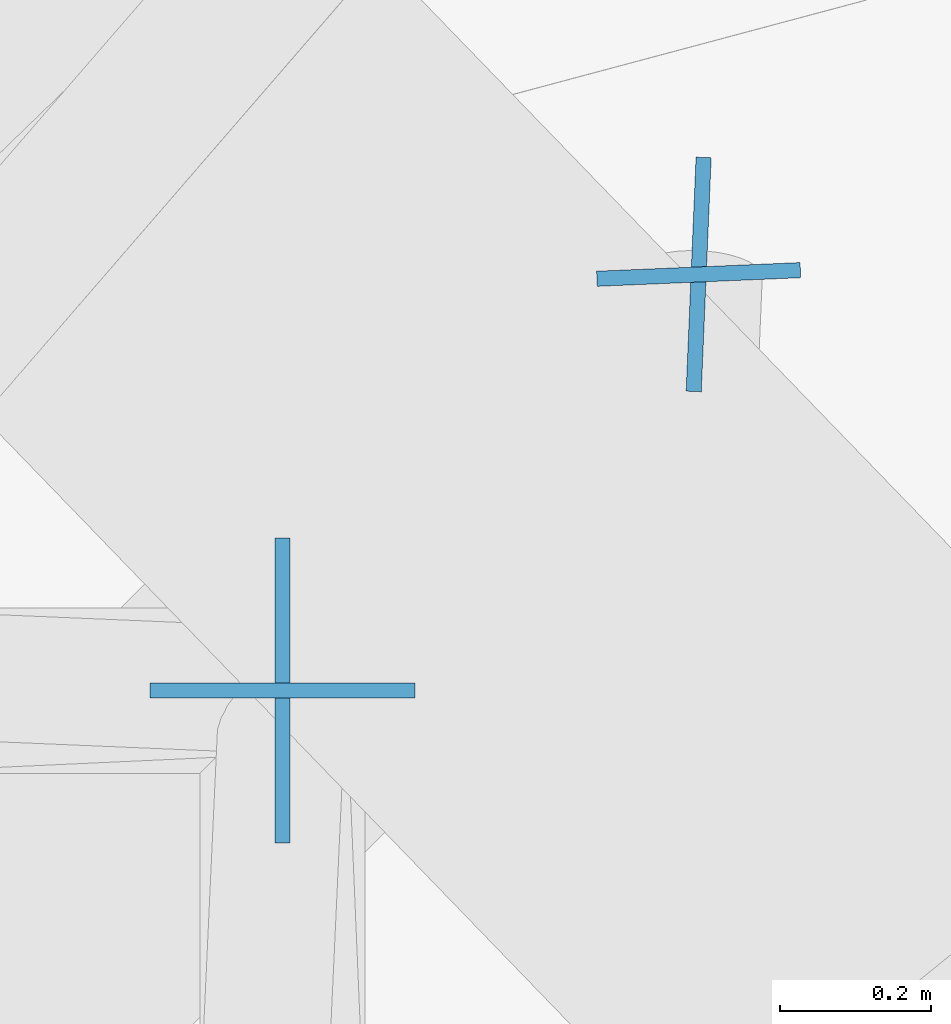
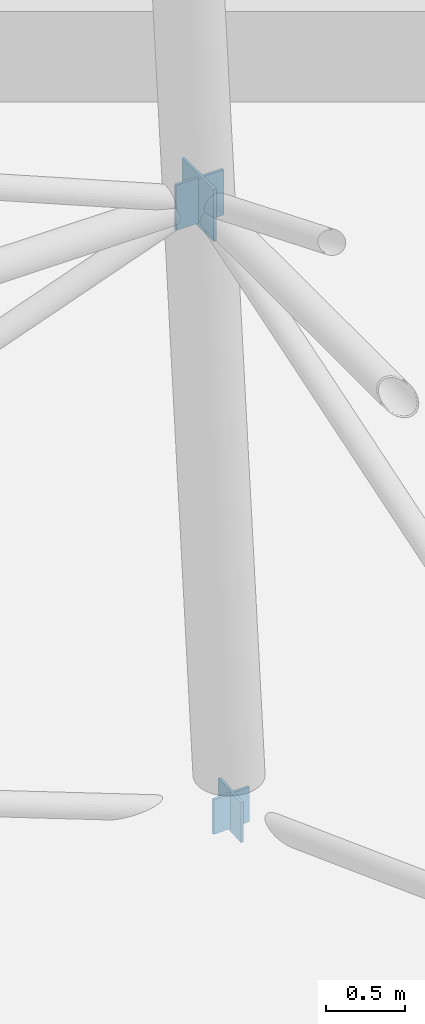
# One storey, part 15 of 27: 4 discrete accessories.
"""IFC4 building model written with IfcOpenShell, lengths in metres."""

from ifc_helpers import new_model, si_unit, direction, frame, origin, origin_2d, place, context, subcontext, project, spatial, rectangle, extrude, material, layer, layer_set, type_object, element, save


model = new_model("IFC4")

# Units and contexts
model_context = context("Model", 3, precision=1e-05, world=origin(), true_north=direction((0.0, 1.0)))
body_context = subcontext(model_context, "Body", "Model", "MODEL_VIEW")
ifc_project = project(units=[si_unit("LENGTHUNIT", "METRE"), si_unit("AREAUNIT", "SQUARE_METRE"), si_unit("VOLUMEUNIT", "CUBIC_METRE"), si_unit("PLANEANGLEUNIT", "RADIAN"), si_unit("MASSUNIT", "GRAM", prefix="KILO")], contexts=[model_context])

# Site, building, storey
site_placement = place(None, origin())
site = spatial("IfcSite", under=ifc_project, at=site_placement, CompositionType="ELEMENT")
building_placement = place(site_placement, origin())
building = spatial("IfcBuilding", under=site, at=building_placement, Name="Ayvan Gate Tower", CompositionType="ELEMENT")
storey_placement = place(building_placement, frame((0.0, 0.0, 267.699951171875)))
storey = spatial("IfcBuildingStorey", under=building, at=storey_placement, Name="Roof", CompositionType="ELEMENT", Elevation=267.699951171875)

# Discrete accessories
ifc_material = material(Name="Steel S460ML", Category="steel")
ifc_layer = layer(ifc_material, 0.02001953125)
ifc_layer_set = layer_set([ifc_layer], Name="Steel S460ML")
discrete_accessory_type = type_object("IfcDiscreteAccessoryType", Name="Gusset plate 20 mm", PredefinedType="BRACKET", material=ifc_layer_set)
discrete_accessory_1_placement = place(storey_placement, frame((6.771484375, 6.771484375, -0.134765625), z_axis=(0.0, 0.0, 1.0), x_axis=(0.999104610978, 0.042308111772, 0.0)))
element("IfcDiscreteAccessory", 1, at=discrete_accessory_1_placement, inside=storey, type_object=discrete_accessory_type, Name="Gusset plate MAST BRACE 1-1A", PredefinedType="BRACKET", context=body_context, shape_type="SweptSolid", body=[
    extrude(rectangle(XDim=0.269287109375, YDim=0.02001953125, at=origin_2d()), origin(), (0.0, 0.0, 1.0), 0.269287109375),
])
discrete_accessory_2_placement = place(storey_placement, frame((6.771484375, 6.771484375, -0.15478515625), z_axis=(0.0, 0.0, 1.0), x_axis=(0.042308111772, 0.999104610978, 0.0)))
element("IfcDiscreteAccessory", 2, at=discrete_accessory_2_placement, inside=storey, type_object=discrete_accessory_type, Name="Gusset plate MAST BRACE 1-4B", PredefinedType="BRACKET", context=body_context, shape_type="SweptSolid", body=[
    extrude(rectangle(XDim=0.309814453125, YDim=0.02001953125, at=origin_2d()), origin(), (0.0, 0.0, 1.0), 0.309814453125),
])
discrete_accessory_3_placement = place(storey_placement, frame((6.22119140625, 6.22119140625, 5.07470703125), z_axis=(0.0, 0.0, 1.0), x_axis=(1.0, 0.0, 0.0)))
element("IfcDiscreteAccessory", 3, at=discrete_accessory_3_placement, inside=storey, type_object=discrete_accessory_type, Name="Gusset plate MAST RING 1-1", PredefinedType="BRACKET", context=body_context, shape_type="SweptSolid", body=[
    extrude(rectangle(XDim=0.3505859375, YDim=0.02001953125, at=origin_2d()), origin(), (0.0, 0.0, 1.0), 0.3505859375),
])
discrete_accessory_4_placement = place(storey_placement, frame((6.22119140625, 6.22119140625, 5.04833984375), z_axis=(0.0, 0.0, 1.0), x_axis=(0.0, 1.0, 0.0)))
element("IfcDiscreteAccessory", 4, at=discrete_accessory_4_placement, inside=storey, type_object=discrete_accessory_type, Name="Gusset plate MAST RING 1-4", PredefinedType="BRACKET", context=body_context, shape_type="SweptSolid", body=[
    extrude(rectangle(XDim=0.403076171875, YDim=0.02001953125, at=origin_2d()), origin(), (0.0, 0.0, 1.0), 0.403076171875),
])

save(model, "model.ifc")
